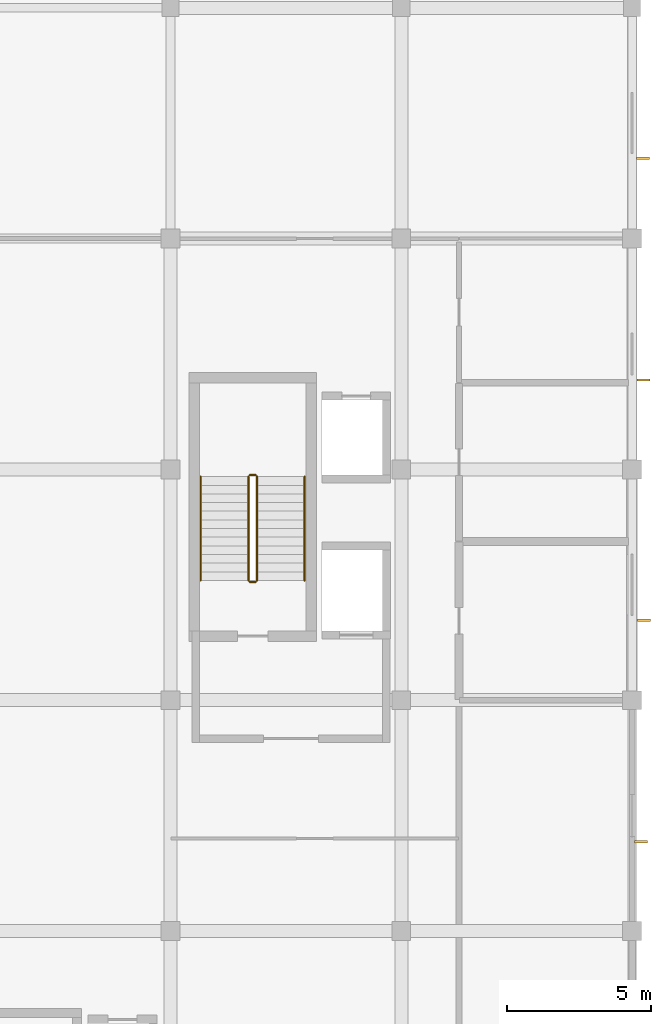
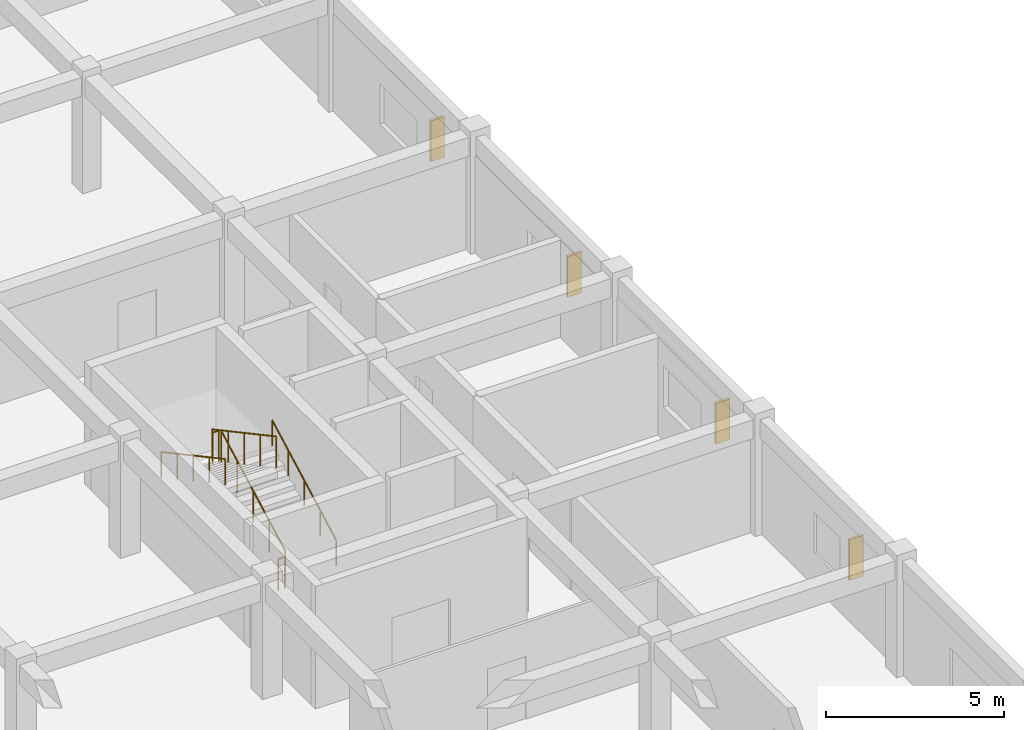
# One storey, part 53 of 54: 6 railings, 4 shading devices.
"""IFC4 building model written with IfcOpenShell, lengths in metres."""

from ifc_helpers import new_model, si_unit, direction, frame, origin, origin_2d, place, context, subcontext, project, spatial, rectangle, circle, extrude, material, type_object, element, save


model = new_model("IFC4")

# Units and contexts
model_context = context("Model", 3, precision=1e-05, world=origin(), true_north=direction((0.0, 1.0)))
body_context = subcontext(model_context, "Body", "Model", "MODEL_VIEW")
ifc_project = project(units=[si_unit("LENGTHUNIT", "METRE"), si_unit("AREAUNIT", "SQUARE_METRE"), si_unit("VOLUMEUNIT", "CUBIC_METRE"), si_unit("PLANEANGLEUNIT", "RADIAN"), si_unit("MASSUNIT", "GRAM", prefix="KILO")], contexts=[model_context])

# Site, building, storey
site_placement = place(None, origin())
site = spatial("IfcSite", under=ifc_project, at=site_placement, CompositionType="ELEMENT")
building_placement = place(site_placement, origin())
building = spatial("IfcBuilding", under=site, at=building_placement, Name="Kenh Van Central Station", CompositionType="ELEMENT")
storey_placement = place(building_placement, frame((0.0, 0.0, 15.0)))
storey = spatial("IfcBuildingStorey", under=building, at=storey_placement, Name="L03", CompositionType="ELEMENT", Elevation=15.0)

# Railings
ifc_material_1 = material(Name="Champagne anodised aluminium", Category="aluminium")
railing_type_1 = type_object("IfcRailingType", Name="RAIL-CORE-GRD110", PredefinedType="GUARDRAIL", material=ifc_material_1)
railing_1_placement = place(storey_placement, frame((163.0, 52.14990234375, 0.16162109375)))
element("IfcRailing", 1, at=railing_1_placement, inside=storey, type_object=railing_type_1, Name="L03 ST-10 stair guard 1", PredefinedType="GUARDRAIL", context=body_context, shape_type="SweptSolid", body=[
    extrude(circle(Radius=0.02392578125, at=origin_2d()), frame((0.0, 0.0, 1.076171875), z_axis=(0.0, 0.880474934443, 0.474092701714), x_axis=(-1.0, 0.0, 0.0)), (0.0, 0.0, 1.0), 4.0888671875),
    extrude(circle(Radius=0.02099609375, at=origin_2d()), origin(), (0.0, 0.0, 1.0), 1.052001953125),
    extrude(circle(Radius=0.02099609375, at=origin_2d()), frame((0.0, 0.89990234375, 0.484619140625)), (0.0, 0.0, 1.0), 1.052001953125),
    extrude(circle(Radius=0.02099609375, at=origin_2d()), frame((0.0, 1.800048828125, 0.96923828125)), (0.0, 0.0, 1.0), 1.052001953125),
    extrude(circle(Radius=0.02099609375, at=origin_2d()), frame((0.0, 2.7001953125, 1.453857421875)), (0.0, 0.0, 1.0), 1.052001953125),
    extrude(circle(Radius=0.02099609375, at=origin_2d()), frame((0.0, 3.60009765625, 1.9384765625)), (0.0, 0.0, 1.0), 1.052001953125),
])
railing_2_placement = place(storey_placement, frame((162.949951171875, 55.800048828125, 2.10009765625)))
element("IfcRailing", 2, at=railing_2_placement, inside=storey, type_object=railing_type_1, Name="L03 ST-10 stair guard 2", PredefinedType="GUARDRAIL", context=body_context, shape_type="SweptSolid", body=[
    extrude(circle(Radius=0.02392578125, at=origin_2d()), frame((0.0, 0.0, 1.076171875), z_axis=(-1.0, 0.0, 0.0), x_axis=(0.0, -1.0, 0.0)), (0.0, 0.0, 1.0), 0.199951171875),
    extrude(circle(Radius=0.02099609375, at=origin_2d()), origin(), (0.0, 0.0, 1.0), 1.052001953125),
    extrude(circle(Radius=0.02099609375, at=origin_2d()), frame((-0.199951171875, 0.0, 0.0)), (0.0, 0.0, 1.0), 1.052001953125),
])
railing_3_placement = place(storey_placement, frame((162.699951171875, 55.75, 2.261474609375)))
element("IfcRailing", 3, at=railing_3_placement, inside=storey, type_object=railing_type_1, Name="L03 ST-10 stair guard 3", PredefinedType="GUARDRAIL", context=body_context, shape_type="SweptSolid", body=[
    extrude(circle(Radius=0.02392578125, at=origin_2d()), frame((0.0, 0.0, 1.076171875), z_axis=(0.0, -0.880474934443, 0.474092701714), x_axis=(1.0, 0.0, 0.0)), (0.0, 0.0, 1.0), 4.0888671875),
    extrude(circle(Radius=0.02099609375, at=origin_2d()), origin(), (0.0, 0.0, 1.0), 1.052001953125),
    extrude(circle(Radius=0.02099609375, at=origin_2d()), frame((0.0, -0.89990234375, 0.484619140625)), (0.0, 0.0, 1.0), 1.052001953125),
    extrude(circle(Radius=0.02099609375, at=origin_2d()), frame((0.0, -1.800048828125, 0.96923828125)), (0.0, 0.0, 1.0), 1.052001953125),
    extrude(circle(Radius=0.02099609375, at=origin_2d()), frame((0.0, -2.7001953125, 1.453857421875)), (0.0, 0.0, 1.0), 1.052001953125),
    extrude(circle(Radius=0.02099609375, at=origin_2d()), frame((0.0, -3.60009765625, 1.9384765625)), (0.0, 0.0, 1.0), 1.052001953125),
])
railing_4_placement = place(storey_placement, frame((162.949951171875, 52.10009765625, 0.0)))
element("IfcRailing", 4, at=railing_4_placement, inside=storey, type_object=railing_type_1, Name="L03 ST-10 stair guard 4", PredefinedType="GUARDRAIL", context=body_context, shape_type="SweptSolid", body=[
    extrude(circle(Radius=0.02392578125, at=origin_2d()), frame((0.0, 0.0, 1.076171875), z_axis=(-1.0, 0.0, 0.0), x_axis=(0.0, -1.0, 0.0)), (0.0, 0.0, 1.0), 0.199951171875),
    extrude(circle(Radius=0.02099609375, at=origin_2d()), origin(), (0.0, 0.0, 1.0), 1.052001953125),
    extrude(circle(Radius=0.02099609375, at=origin_2d()), frame((-0.199951171875, 0.0, 0.0)), (0.0, 0.0, 1.0), 1.052001953125),
])
railing_type_2 = type_object("IfcRailingType", Name="RAIL-CORE-HND90", PredefinedType="HANDRAIL", material=ifc_material_1)
railing_5_placement = place(storey_placement, frame((164.64990234375, 52.14990234375, 0.16162109375)))
element("IfcRailing", 5, at=railing_5_placement, inside=storey, type_object=railing_type_2, Name="L03 ST-10 stair handrail 1", PredefinedType="HANDRAIL", context=body_context, shape_type="SweptSolid", body=[
    extrude(circle(Radius=0.02392578125, at=origin_2d()), frame((0.0, 0.0, 0.8759765625), z_axis=(0.0, 0.880474934443, 0.474092701714), x_axis=(-1.0, 0.0, 0.0)), (0.0, 0.0, 1.0), 4.0888671875),
    extrude(circle(Radius=0.02099609375, at=origin_2d()), origin(), (0.0, 0.0, 1.0), 0.851806640625),
    extrude(circle(Radius=0.02099609375, at=origin_2d()), frame((0.0, 0.89990234375, 0.484619140625)), (0.0, 0.0, 1.0), 0.851806640625),
    extrude(circle(Radius=0.02099609375, at=origin_2d()), frame((0.0, 1.800048828125, 0.96923828125)), (0.0, 0.0, 1.0), 0.851806640625),
    extrude(circle(Radius=0.02099609375, at=origin_2d()), frame((0.0, 2.7001953125, 1.453857421875)), (0.0, 0.0, 1.0), 0.851806640625),
    extrude(circle(Radius=0.02099609375, at=origin_2d()), frame((0.0, 3.60009765625, 1.9384765625)), (0.0, 0.0, 1.0), 0.851806640625),
])
railing_6_placement = place(storey_placement, frame((161.050048828125, 55.75, 2.261474609375)))
element("IfcRailing", 6, at=railing_6_placement, inside=storey, type_object=railing_type_2, Name="L03 ST-10 stair handrail 2", PredefinedType="HANDRAIL", context=body_context, shape_type="SweptSolid", body=[
    extrude(circle(Radius=0.02392578125, at=origin_2d()), frame((0.0, 0.0, 0.8759765625), z_axis=(0.0, -0.880474934443, 0.474092701714), x_axis=(1.0, 0.0, 0.0)), (0.0, 0.0, 1.0), 4.0888671875),
    extrude(circle(Radius=0.02099609375, at=origin_2d()), origin(), (0.0, 0.0, 1.0), 0.851806640625),
    extrude(circle(Radius=0.02099609375, at=origin_2d()), frame((0.0, -0.89990234375, 0.484619140625)), (0.0, 0.0, 1.0), 0.851806640625),
    extrude(circle(Radius=0.02099609375, at=origin_2d()), frame((0.0, -1.800048828125, 0.96923828125)), (0.0, 0.0, 1.0), 0.851806640625),
    extrude(circle(Radius=0.02099609375, at=origin_2d()), frame((0.0, -2.7001953125, 1.453857421875)), (0.0, 0.0, 1.0), 0.851806640625),
    extrude(circle(Radius=0.02099609375, at=origin_2d()), frame((0.0, -3.60009765625, 1.9384765625)), (0.0, 0.0, 1.0), 0.851806640625),
])

# Shading devices
ifc_material_2 = material(Name="Precast concrete C40/50", Category="concrete")
shading_device_type = type_object("IfcShadingDeviceType", Name="SHD-FIN-SHT", PredefinedType="SHUTTER", material=ifc_material_2)
for number, where, z_axis, x_axis, name in (
    (7, (176.3125, 43.094970703125, 1.150146484375), (0.0, 0.0, 1.0), (1.0, 0.0, 0.0), "L03 vertical brise-soleil fin 021"),
    (8, (176.405029296875, 50.77001953125, 1.150146484375), (0.0, 0.0, 1.0), (1.0, 0.0, 0.0), "L03 vertical brise-soleil fin 022"),
    (9, (176.389892578125, 59.094970703125, 1.150146484375), (0.0, 0.0, 1.0), (1.0, 0.0, 0.0), "L03 vertical brise-soleil fin 023"),
    (10, (176.3798828125, 66.782470703125, 1.150146484375), (0.0, 0.0, 1.0), (1.0, 0.0, 0.0), "L03 vertical brise-soleil fin 024"),
):
    element("IfcShadingDevice", number, at=place(storey_placement, frame(where, z_axis=z_axis, x_axis=x_axis)), inside=storey, type_object=shading_device_type, Name=name, PredefinedType="SHUTTER", context=body_context, shape_type="SweptSolid", body=[
        extrude(rectangle(XDim=0.449951171875, YDim=0.080078125, at=origin_2d()), origin(), (0.0, 0.0, 1.0), 1.39990234375),
    ])

save(model, "model.ifc")
